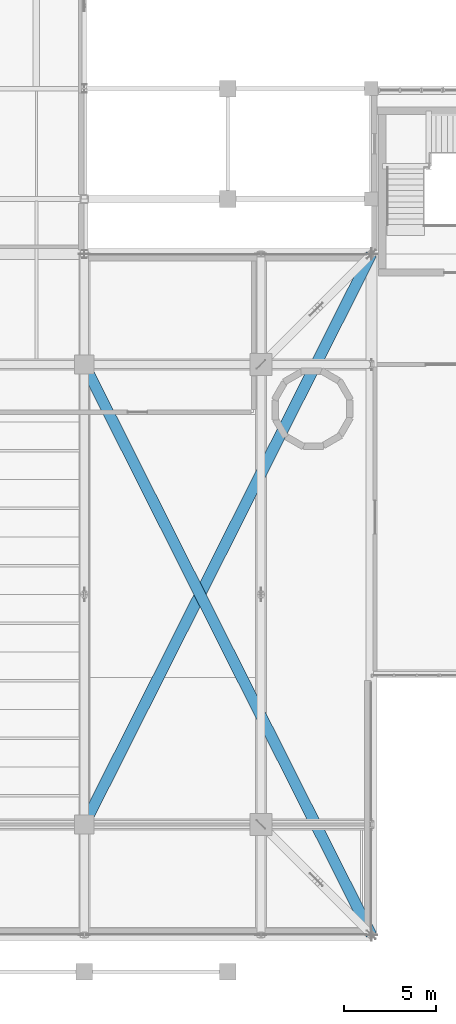
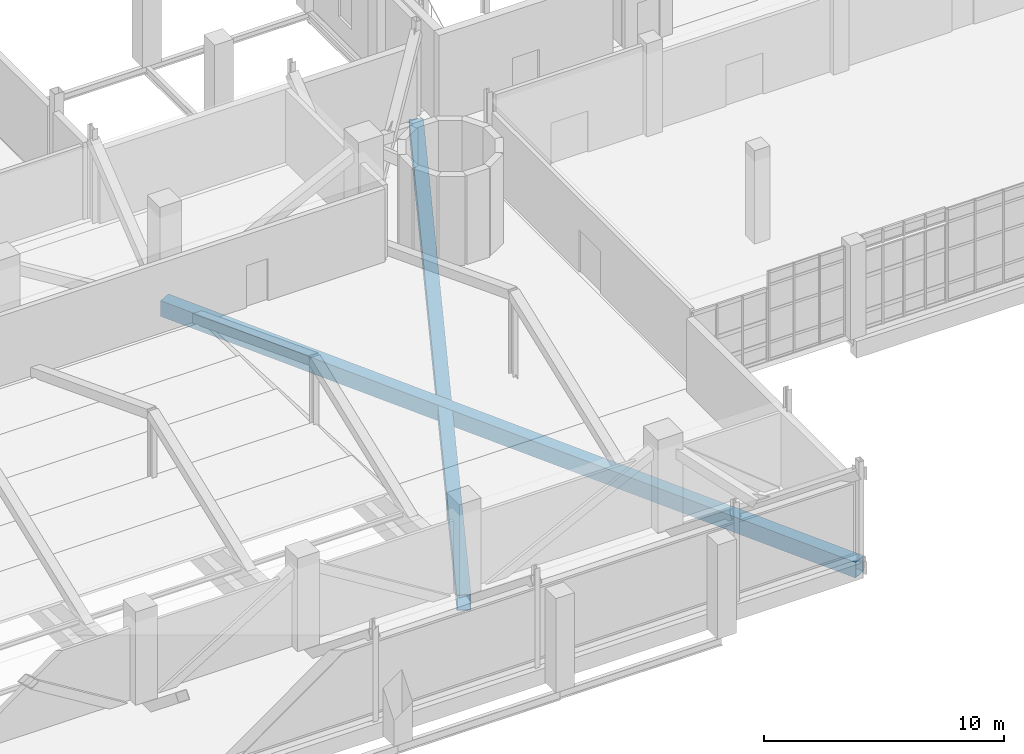
# One storey, part 52 of 127: 2 beams.
"""IFC4 building model written with IfcOpenShell, lengths in metres."""

from ifc_helpers import new_model, si_unit, derived_unit, direction, frame, origin, origin_2d, place, context, subcontext, project, spatial, hollow_rectangle, extrude, material, material_profile, profile_set, type_object, element, save


model = new_model("IFC4")

# Units and contexts
model_context = context("Model", 3, precision=1e-05, world=origin(), true_north=direction((0.0, 1.0)))
body_context = subcontext(model_context, "Body", "Model", "MODEL_VIEW")
ifc_project = project(units=[si_unit("LENGTHUNIT", "METRE"), si_unit("AREAUNIT", "SQUARE_METRE"), si_unit("VOLUMEUNIT", "CUBIC_METRE"), si_unit("PLANEANGLEUNIT", "RADIAN"), si_unit("MASSUNIT", "GRAM", prefix="KILO"), derived_unit("THERMALTRANSMITTANCEUNIT", [(si_unit("POWERUNIT", "WATT"), 1), (si_unit("LENGTHUNIT", "METRE"), -2), (si_unit("THERMODYNAMICTEMPERATUREUNIT", "KELVIN"), -1)])], contexts=[model_context])

# Site, building, storey
site_placement = place(None, origin())
site = spatial("IfcSite", under=ifc_project, at=site_placement, CompositionType="ELEMENT")
building_placement = place(site_placement, origin())
building = spatial("IfcBuilding", under=site, at=building_placement, Name="Nallur Shell Playhouse", CompositionType="ELEMENT")
storey_placement = place(building_placement, frame((0.0, 0.0, 5.39990234375)))
storey = spatial("IfcBuildingStorey", under=building, at=storey_placement, Name="L02", CompositionType="ELEMENT", Elevation=5.39990234375)

# Beams
ifc_material = material(Name="Steel E350", Category="steel")
ifc_material_profile = material_profile(ifc_material, hollow_rectangle(XDim=0.60009765625, YDim=0.800048828125, WallThickness=0.02490234375, at=origin_2d()), Name="BOX 600x800x25")
ifc_profile_set = profile_set([ifc_material_profile], Name="Steel E350")
beam_type = type_object("IfcBeamType", Name="BM-TT-CHORD", PredefinedType="BEAM", material=ifc_profile_set)
for number, where, z_axis, x_axis, name in (
    (1, (103.0, 41.0, -0.679931640625), (0.449519572616, -0.893270481901, 0.0), (0.893270481901, 0.449519572616, 0.0), "Corner transfer TTC-SE bottom chord"),
    (2, (103.0, 16.0, -0.679931640625), (0.449519572616, 0.893270481901, 0.0), (-0.893270481901, 0.449519572616, 0.0), "Corner transfer TTC-NE bottom chord"),
):
    element("IfcBeam", number, at=place(storey_placement, frame(where, z_axis=z_axis, x_axis=x_axis)), inside=storey, type_object=beam_type, Name=name, PredefinedType="BEAM", context=body_context, shape_type="SweptSolid", body=[
        extrude(hollow_rectangle(XDim=0.60009765625, YDim=0.800048828125, WallThickness=0.02490234375, at=origin_2d()), origin(), (0.0, 0.0, 1.0), 34.703857421875),
    ])

save(model, "model.ifc")
